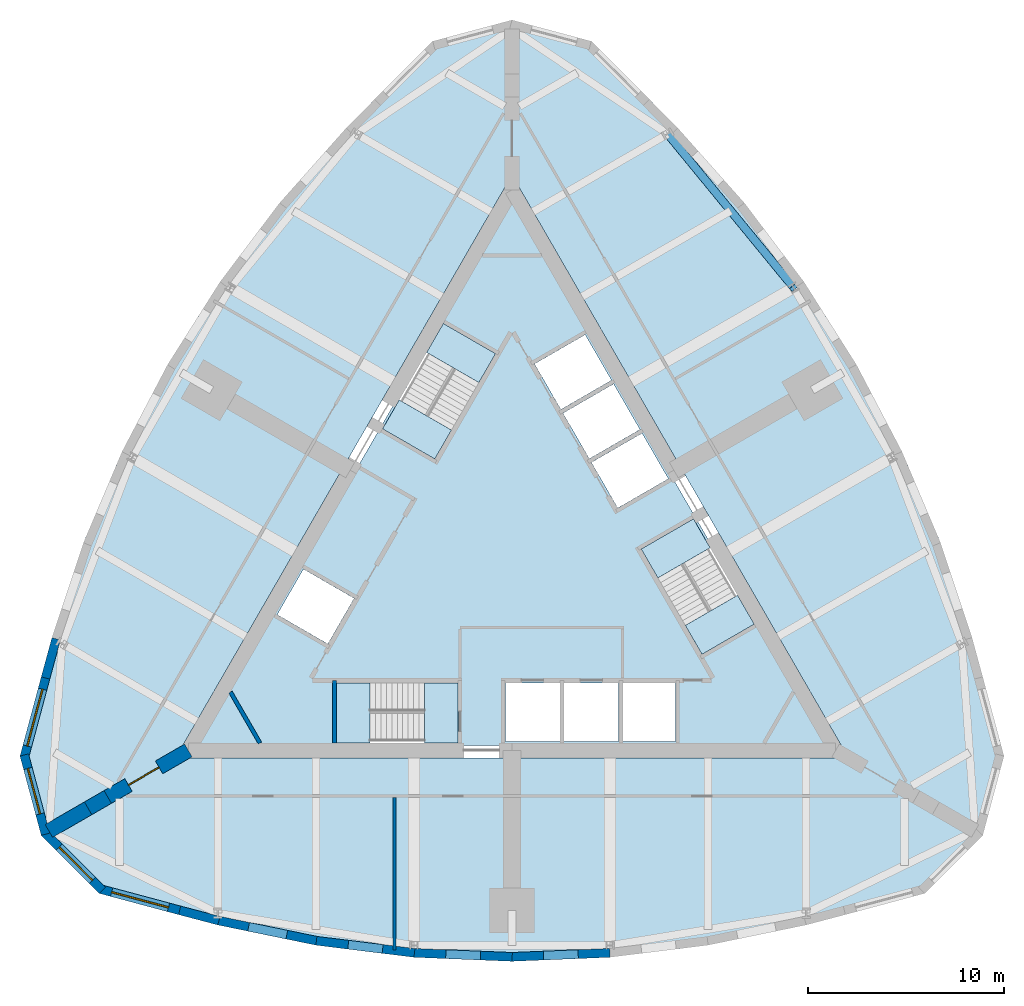
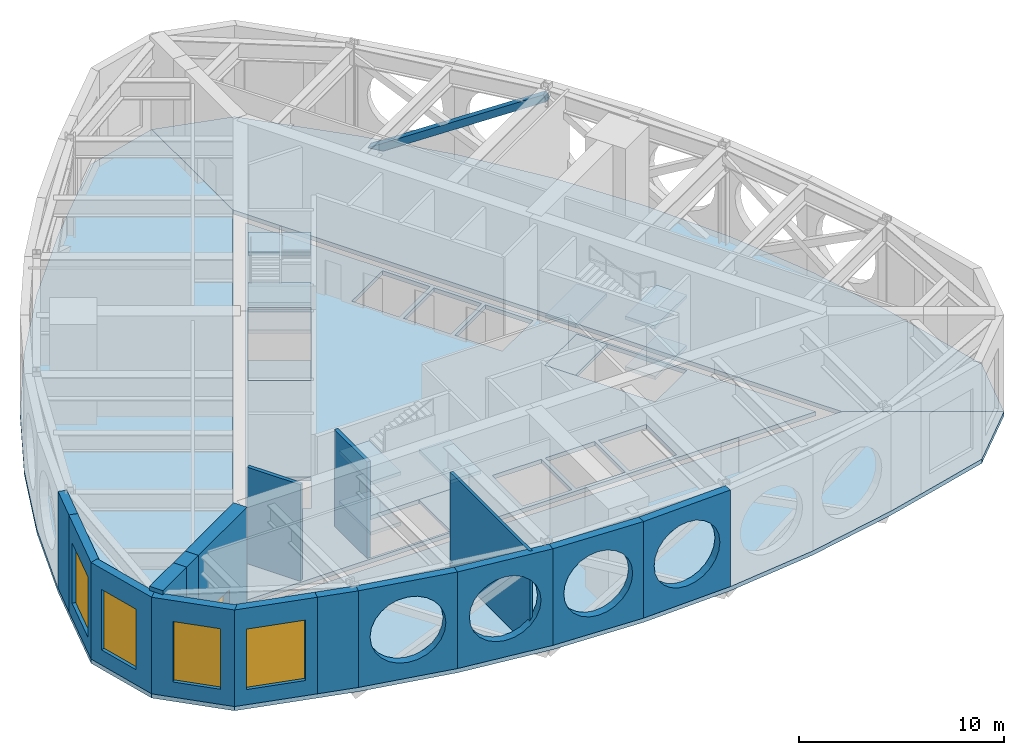
# One storey, part 2 of 7: 16 slabs, 16 walls, 4 windows, 1 door, 1 member, 5 openings, 3 elements without a shape of their own.
"""IFC4 building model written with IfcOpenShell, lengths in metres."""

from ifc_helpers import new_model, si_unit, direction, frame, frame_2d, origin, origin_2d, place, context, subcontext, project, spatial, polyline, rectangle, hollow_rectangle, outline, extrude, material, layer, layer_set, material_profile, profile_set, type_object, element, fill, aggregate, save


model = new_model("IFC4")

# Units and contexts
model_context = context("Model", 3, precision=1e-05, world=origin(), true_north=direction((0.0, 1.0)))
body_context = subcontext(model_context, "Body", "Model", "MODEL_VIEW")
ifc_project = project(units=[si_unit("LENGTHUNIT", "METRE"), si_unit("AREAUNIT", "SQUARE_METRE"), si_unit("VOLUMEUNIT", "CUBIC_METRE"), si_unit("PLANEANGLEUNIT", "RADIAN"), si_unit("MASSUNIT", "GRAM", prefix="KILO")], contexts=[model_context])

# Site, building, storey
site_placement = place(None, origin())
site = spatial("IfcSite", under=ifc_project, at=site_placement, CompositionType="ELEMENT")
building_placement = place(site_placement, origin())
building = spatial("IfcBuilding", under=site, at=building_placement, Name="Trikona Tower", CompositionType="ELEMENT")
storey_placement = place(building_placement, frame((0.0, 0.0, 233.300048828125)))
storey = spatial("IfcBuildingStorey", under=building, at=storey_placement, Name="L62", CompositionType="ELEMENT", Elevation=233.300048828125)

# Member
ifc_material_1 = material(Name="Steel ASTM A500 Grade C", Category="steel")
ifc_material_profile = material_profile(ifc_material_1, hollow_rectangle(XDim=0.406494140625, YDim=0.406494140625, WallThickness=0.0146484375, at=origin_2d()), Name="HSS16X16X5/8")
ifc_profile_set = profile_set([ifc_material_profile], Name="Steel ASTM A500 Grade C")
member_type = type_object("IfcMemberType", Name="Belt truss diagonal HSS16x16x5/8", PredefinedType="BRACE", material=ifc_profile_set)
member_placement = place(storey_placement, frame((7.936767578125, 21.90283203125, -0.770751953125), z_axis=(0.545652453615, -0.665383812961, 0.5094386924), x_axis=(0.77324629337, 0.634105803308, 0.0)))
element("IfcMember", 1, at=member_placement, inside=storey, type_object=member_type, Name="Belt truss diagonal L62 F2-4b", PredefinedType="BRACE", context=body_context, shape_type="SweptSolid", body=[
    extrude(hollow_rectangle(XDim=0.406494140625, YDim=0.406494140625, WallThickness=0.0146484375, at=origin_2d()), origin(), (0.0, 0.0, 1.0), 11.777587890625),
])

# Slabs
ifc_material_2 = material(Name="Concrete f'c 5000 psi lightweight on composite steel deck", Category="concrete")
ifc_layer_1 = layer(ifc_material_2, 0.25)
ifc_layer_set_1 = layer_set([ifc_layer_1], Name="Composite floor slab 250")
slab_type_1 = type_object("IfcSlabType", Name="Composite floor slab 250", PredefinedType="FLOOR", material=ifc_layer_set_1)
slab_1_placement = place(storey_placement, frame((0.0, 0.0, -0.25)))
element("IfcSlab", 2, at=slab_1_placement, inside=storey, type_object=slab_type_1, Name="Floor slab L62 core", PredefinedType="FLOOR", context=body_context, shape_type="SweptSolid", body=[
    extrude(outline(polyline([(-16.06689453125, -9.2763671875), (16.06689453125, -9.2763671875), (0.0, 18.552490234375), (-16.06689453125, -9.2763671875)]), holes=[polyline([(6.587158203125, 0.7431640625), (9.687255859375, -4.626220703125), (12.35009765625, -3.088623046875), (9.250244140625, 2.28076171875), (6.587158203125, 0.7431640625)]), polyline([(5.659912109375, -6.086181640625), (5.659912109375, -9.06640625), (8.340087890625, -9.06640625), (8.340087890625, -6.086181640625), (5.659912109375, -6.086181640625)]), polyline([(6.631591796875, 6.646240234375), (4.05078125, 5.15625), (5.390869140625, 2.835205078125), (7.9716796875, 4.3251953125), (6.631591796875, 6.646240234375)]), polyline([(6.521484375, 6.8369140625), (5.181640625, 9.15771484375), (2.600830078125, 7.667724609375), (3.94091796875, 5.3466796875), (6.521484375, 6.8369140625)]), polyline([(2.659912109375, -9.06640625), (5.43994140625, -9.06640625), (5.43994140625, -6.086181640625), (2.659912109375, -6.086181640625), (2.659912109375, -9.06640625)]), polyline([(2.490966796875, 7.858154296875), (5.071533203125, 9.34814453125), (3.731689453125, 11.669189453125), (1.15087890625, 10.17919921875), (2.490966796875, 7.858154296875)]), polyline([(2.43994140625, -9.06640625), (2.43994140625, -6.086181640625), (-0.340087890625, -6.086181640625), (-0.340087890625, -9.06640625), (2.43994140625, -9.06640625)]), polyline([(-3.937255859375, 5.3330078125), (-0.837158203125, 10.702392578125), (-3.500244140625, 12.239990234375), (-6.60009765625, 6.87060546875), (-3.937255859375, 5.3330078125)]), polyline([(-2.75, -6.076416015625), (-8.949951171875, -6.076416015625), (-8.949951171875, -9.1513671875), (-2.75, -9.1513671875), (-2.75, -6.076416015625)]), polyline([(-11.9716796875, -2.602783203125), (-9.390869140625, -4.093017578125), (-8.05078125, -1.77197265625), (-10.631591796875, -0.281982421875), (-11.9716796875, -2.602783203125)])]), origin(), (0.0, 0.0, 1.0), 0.25),
])
slab_2_placement = place(storey_placement, frame((0.0, 0.0, -0.25)))
element("IfcSlab", 3, at=slab_2_placement, inside=storey, type_object=slab_type_1, Name="Floor slab L62 south", PredefinedType="FLOOR", context=body_context, shape_type="SweptSolid", body=[
    extrude(outline(polyline([(21.04150390625, -16.81494140625), (24.0, -13.8564453125), (17.1494140625, -9.9013671875), (-17.1494140625, -9.9013671875), (-24.0, -13.8564453125), (-21.04150390625, -16.81494140625), (-17.0, -17.89794921875), (-15.0, -18.4248046875), (-10.0, -19.454345703125), (-5.0, -20.072021484375), (0.0, -20.27783203125), (5.0, -20.072021484375), (10.0, -19.454345703125), (15.0, -18.4248046875), (17.0, -17.89794921875), (21.04150390625, -16.81494140625)])), origin(), (0.0, 0.0, 1.0), 0.25),
])
slab_3_placement = place(storey_placement, frame((0.0, 0.0, -0.25)))
element("IfcSlab", 4, at=slab_3_placement, inside=storey, type_object=slab_type_1, Name="Floor slab L62 north-east", PredefinedType="FLOOR", context=body_context, shape_type="SweptSolid", body=[
    extrude(outline(polyline([(4.04150390625, 26.6298828125), (0.0, 27.712890625), (0.0, 19.802490234375), (17.1494140625, -9.9013671875), (24.0, -13.8564453125), (25.0830078125, -9.81494140625), (24.0, -5.7734375), (23.456298828125, -3.77783203125), (21.847900390625, 1.06689453125), (19.8828125, 5.705810546875), (17.56103515625, 10.138916015625), (14.8828125, 14.3662109375), (11.847900390625, 18.387451171875), (8.456298828125, 22.202880859375), (7.0, 23.67138671875), (4.04150390625, 26.6298828125)])), origin(), (0.0, 0.0, 1.0), 0.25),
])
slab_4_placement = place(storey_placement, frame((0.0, 0.0, -0.25)))
element("IfcSlab", 5, at=slab_4_placement, inside=storey, type_object=slab_type_1, Name="Floor slab L62 north-west", PredefinedType="FLOOR", context=body_context, shape_type="SweptSolid", body=[
    extrude(outline(polyline([(-7.0, 23.67138671875), (-8.456298828125, 22.202880859375), (-11.847900390625, 18.387451171875), (-14.8828125, 14.3662109375), (-17.56103515625, 10.138916015625), (-19.8828125, 5.705810546875), (-21.847900390625, 1.06689453125), (-23.456298828125, -3.77783203125), (-24.0, -5.7734375), (-25.0830078125, -9.81494140625), (-24.0, -13.8564453125), (-17.1494140625, -9.9013671875), (0.0, 19.802490234375), (0.0, 27.712890625), (-4.04150390625, 26.6298828125), (-7.0, 23.67138671875)])), origin(), (0.0, 0.0, 1.0), 0.25),
])

# Stair, slabs
ifc_material_3 = material(Name="Concrete f'c 5000 psi", Category="concrete")
stair_type = type_object("IfcStairType", Name="Core stair", PredefinedType="HALF_TURN_STAIR", material=ifc_material_3)
stair_1_placement = place(storey_placement, origin())
stair_1 = element("IfcStair", 6, at=stair_1_placement, inside=storey, type_object=stair_type, Name="Stair A L62", PredefinedType="HALF_TURN_STAIR")
ifc_material_4 = material(Name="Concrete f'c 5000 psi", Category="concrete")
ifc_layer_2 = layer(ifc_material_4, 0.199951171875)
ifc_layer_set_2 = layer_set([ifc_layer_2], Name="Stair landing 200")
slab_type_2 = type_object("IfcSlabType", Name="Stair landing 200", PredefinedType="LANDING", material=ifc_layer_set_2)
slab_5_placement = place(storey_placement, frame((0.0, 0.0, -0.199951171875)))
slab_5 = element("IfcSlab", 7, at=slab_5_placement, type_object=slab_type_2, Name="ST-A landing 1", PredefinedType="LANDING", context=body_context, shape_type="SweptSolid", body=[
    extrude(outline(polyline([(-4.452880859375, -6.076416015625), (-2.75, -6.076416015625), (-2.75, -9.1513671875), (-4.452880859375, -9.1513671875), (-4.452880859375, -6.076416015625)])), origin(), (0.0, 0.0, 1.0), 0.199951171875),
])
slab_6_placement = place(storey_placement, frame((0.0, 0.0, 1.300048828125)))
slab_6 = element("IfcSlab", 8, at=slab_6_placement, type_object=slab_type_2, Name="ST-A landing 2", PredefinedType="LANDING", context=body_context, shape_type="SweptSolid", body=[
    extrude(outline(polyline([(-8.949951171875, -6.076416015625), (-7.2470703125, -6.076416015625), (-7.2470703125, -9.1513671875), (-8.949951171875, -9.1513671875), (-8.949951171875, -6.076416015625)])), origin(), (0.0, 0.0, 1.0), 0.199951171875),
])
slab_7_placement = place(storey_placement, frame((0.0, 0.0, 2.800048828125)))
slab_7 = element("IfcSlab", 9, at=slab_7_placement, type_object=slab_type_2, Name="ST-A landing 3", PredefinedType="LANDING", context=body_context, shape_type="SweptSolid", body=[
    extrude(outline(polyline([(-4.452880859375, -6.076416015625), (-2.75, -6.076416015625), (-2.75, -9.1513671875), (-4.452880859375, -9.1513671875), (-4.452880859375, -6.076416015625)])), origin(), (0.0, 0.0, 1.0), 0.199951171875),
])
slab_8_placement = place(storey_placement, frame((0.0, 0.0, 4.300048828125)))
slab_8 = element("IfcSlab", 10, at=slab_8_placement, type_object=slab_type_2, Name="ST-A landing 4", PredefinedType="LANDING", context=body_context, shape_type="SweptSolid", body=[
    extrude(outline(polyline([(-8.949951171875, -6.076416015625), (-7.2470703125, -6.076416015625), (-7.2470703125, -9.1513671875), (-8.949951171875, -9.1513671875), (-8.949951171875, -6.076416015625)])), origin(), (0.0, 0.0, 1.0), 0.199951171875),
])
aggregate(stair_1, [slab_5, slab_6, slab_7, slab_8])

stair_2_placement = place(storey_placement, origin())
stair_2 = element("IfcStair", 11, at=stair_2_placement, inside=storey, type_object=stair_type, Name="Stair B L62", PredefinedType="HALF_TURN_STAIR")
slab_9_placement = place(storey_placement, frame((0.0, 0.0, -0.199951171875)))
slab_9 = element("IfcSlab", 12, at=slab_9_placement, type_object=slab_type_2, Name="ST-B landing 1", PredefinedType="LANDING", context=body_context, shape_type="SweptSolid", body=[
    extrude(outline(polyline([(7.438720703125, -0.731689453125), (6.587158203125, 0.7431640625), (9.250244140625, 2.28076171875), (10.101806640625, 0.805908203125), (7.438720703125, -0.731689453125)])), origin(), (0.0, 0.0, 1.0), 0.199951171875),
])
slab_10_placement = place(storey_placement, frame((0.0, 0.0, 1.300048828125)))
slab_10 = element("IfcSlab", 13, at=slab_10_placement, type_object=slab_type_2, Name="ST-B landing 2", PredefinedType="LANDING", context=body_context, shape_type="SweptSolid", body=[
    extrude(outline(polyline([(9.687255859375, -4.626220703125), (8.835693359375, -3.1513671875), (11.498779296875, -1.61376953125), (12.35009765625, -3.088623046875), (9.687255859375, -4.626220703125)])), origin(), (0.0, 0.0, 1.0), 0.199951171875),
])
slab_11_placement = place(storey_placement, frame((0.0, 0.0, 2.800048828125)))
slab_11 = element("IfcSlab", 14, at=slab_11_placement, type_object=slab_type_2, Name="ST-B landing 3", PredefinedType="LANDING", context=body_context, shape_type="SweptSolid", body=[
    extrude(outline(polyline([(7.438720703125, -0.731689453125), (6.587158203125, 0.7431640625), (9.250244140625, 2.28076171875), (10.101806640625, 0.805908203125), (7.438720703125, -0.731689453125)])), origin(), (0.0, 0.0, 1.0), 0.199951171875),
])
slab_12_placement = place(storey_placement, frame((0.0, 0.0, 4.300048828125)))
slab_12 = element("IfcSlab", 15, at=slab_12_placement, type_object=slab_type_2, Name="ST-B landing 4", PredefinedType="LANDING", context=body_context, shape_type="SweptSolid", body=[
    extrude(outline(polyline([(9.687255859375, -4.626220703125), (8.835693359375, -3.1513671875), (11.498779296875, -1.61376953125), (12.35009765625, -3.088623046875), (9.687255859375, -4.626220703125)])), origin(), (0.0, 0.0, 1.0), 0.199951171875),
])
aggregate(stair_2, [slab_9, slab_10, slab_11, slab_12])

stair_3_placement = place(storey_placement, origin())
stair_3 = element("IfcStair", 16, at=stair_3_placement, inside=storey, type_object=stair_type, Name="Stair C L62", PredefinedType="HALF_TURN_STAIR")
slab_13_placement = place(storey_placement, frame((0.0, 0.0, -0.199951171875)))
slab_13 = element("IfcSlab", 17, at=slab_13_placement, type_object=slab_type_2, Name="ST-C landing 1", PredefinedType="LANDING", context=body_context, shape_type="SweptSolid", body=[
    extrude(outline(polyline([(-3.085693359375, 6.807861328125), (-3.937255859375, 5.3330078125), (-6.60009765625, 6.87060546875), (-5.748779296875, 8.345458984375), (-3.085693359375, 6.807861328125)])), origin(), (0.0, 0.0, 1.0), 0.199951171875),
])
slab_14_placement = place(storey_placement, frame((0.0, 0.0, 1.300048828125)))
slab_14 = element("IfcSlab", 18, at=slab_14_placement, type_object=slab_type_2, Name="ST-C landing 2", PredefinedType="LANDING", context=body_context, shape_type="SweptSolid", body=[
    extrude(outline(polyline([(-0.837158203125, 10.702392578125), (-1.688720703125, 9.2275390625), (-4.351806640625, 10.76513671875), (-3.500244140625, 12.239990234375), (-0.837158203125, 10.702392578125)])), origin(), (0.0, 0.0, 1.0), 0.199951171875),
])
slab_15_placement = place(storey_placement, frame((0.0, 0.0, 2.800048828125)))
slab_15 = element("IfcSlab", 19, at=slab_15_placement, type_object=slab_type_2, Name="ST-C landing 3", PredefinedType="LANDING", context=body_context, shape_type="SweptSolid", body=[
    extrude(outline(polyline([(-3.085693359375, 6.807861328125), (-3.937255859375, 5.3330078125), (-6.60009765625, 6.87060546875), (-5.748779296875, 8.345458984375), (-3.085693359375, 6.807861328125)])), origin(), (0.0, 0.0, 1.0), 0.199951171875),
])
slab_16_placement = place(storey_placement, frame((0.0, 0.0, 4.300048828125)))
slab_16 = element("IfcSlab", 20, at=slab_16_placement, type_object=slab_type_2, Name="ST-C landing 4", PredefinedType="LANDING", context=body_context, shape_type="SweptSolid", body=[
    extrude(outline(polyline([(-0.837158203125, 10.702392578125), (-1.688720703125, 9.2275390625), (-4.351806640625, 10.76513671875), (-3.500244140625, 12.239990234375), (-0.837158203125, 10.702392578125)])), origin(), (0.0, 0.0, 1.0), 0.199951171875),
])
aggregate(stair_3, [slab_13, slab_14, slab_15, slab_16])

# Wall, opening, window
ifc_material_5 = material(Name="Brick-faced precast concrete", Category="masonry")
ifc_layer_3 = layer(ifc_material_5, 0.449951171875)
ifc_layer_set_3 = layer_set([ifc_layer_3], Name="Brick-faced corner wall 450")
wall_type_1 = type_object("IfcWallType", Name="Brick-faced corner wall 450", PredefinedType="SOLIDWALL", material=ifc_layer_set_3)
wall_1_placement = place(storey_placement, frame((-23.78271484375, -5.831787109375, 0.0), z_axis=(0.0, 0.0, 1.0), x_axis=(-0.258784695888, -0.965935029479, 0.0)))
wall_1 = element("IfcWall", 21, at=wall_1_placement, inside=storey, type_object=wall_type_1, Name="External wall L62-32", PredefinedType="SOLIDWALL", context=body_context, shape_type="SweptSolid", body=[
    extrude(rectangle(XDim=4.18408203125, YDim=0.449951171875, at=frame_2d((2.092041015625, 0.0))), origin(), (0.0, 0.0, 1.0), 5.75),
])
opening_1_placement = place(wall_1_placement, frame((0.592041015625, 0.0, 0.89990234375)))
opening_1 = element("IfcOpeningElement", 22, at=opening_1_placement, cuts=wall_1, Name="Opening W3036", PredefinedType="OPENING", context=body_context, shape_type="SweptSolid", body=[
    extrude(rectangle(XDim=3.0, YDim=3.60009765625, at=frame_2d((1.5, 1.800048828125))), frame((0.0, 0.23486328125, 0.0), z_axis=(0.0, -1.0, 0.0), x_axis=(1.0, 0.0, 0.0)), (0.0, 0.0, 1.0), 0.469970703125),
])
ifc_material_6 = material(Name="Aluminium-framed double glazing", Category="aluminium")
window_type_1 = type_object("IfcWindowType", Name="Window 3000x3600", PartitioningType="SINGLE_PANEL", PredefinedType="WINDOW", material=ifc_material_6)
window_1_placement = place(opening_1_placement, origin())
window_1 = element("IfcWindow", 23, at=window_1_placement, inside=storey, type_object=window_type_1, Name="Window L62-PLS", OverallHeight=3.60009765625, OverallWidth=3.0, PartitioningType="SINGLE_PANEL", PredefinedType="WINDOW", context=body_context, shape_type="SweptSolid", body=[
    extrude(rectangle(XDim=3.0, YDim=3.60009765625, at=frame_2d((1.5, 1.800048828125))), frame((0.0, 0.030029296875, 0.0), z_axis=(0.0, -1.0, 0.0), x_axis=(1.0, 0.0, 0.0)), (0.0, 0.0, 1.0), 0.06005859375),
])
fill(opening_1, window_1)

wall_2_placement = place(storey_placement, frame((-24.865478515625, -9.7568359375, 0.0), z_axis=(0.0, 0.0, 1.0), x_axis=(0.258799282522, -0.96593112144, 0.0)))
wall_2 = element("IfcWall", 24, at=wall_2_placement, inside=storey, type_object=wall_type_1, Name="External wall L62-33", PredefinedType="SOLIDWALL", context=body_context, shape_type="SweptSolid", body=[
    extrude(outline(polyline([(4.183837890625, 0.22509765625), (4.12451171875, 0.22509765625), (3.705078125, 0.112548828125), (3.675048828125, 0.22509765625), (0.0, 0.22509765625), (0.0, -0.22509765625), (4.183837890625, -0.22509765625), (4.183837890625, 0.22509765625)])), origin(), (0.0, 0.0, 1.0), 5.75),
])
opening_2_placement = place(wall_2_placement, frame((0.712646484375, 0.0, 0.89990234375)))
opening_2 = element("IfcOpeningElement", 25, at=opening_2_placement, cuts=wall_2, Name="Opening W2436", PredefinedType="OPENING", context=body_context, shape_type="SweptSolid", body=[
    extrude(rectangle(XDim=2.39990234375, YDim=3.60009765625, at=frame_2d((1.199951171875, 1.800048828125))), frame((0.0, 0.23486328125, 0.0), z_axis=(0.0, -1.0, 0.0), x_axis=(1.0, 0.0, 0.0)), (0.0, 0.0, 1.0), 0.469970703125),
])
ifc_material_7 = material(Name="Aluminium-framed double glazing", Category="aluminium")
window_type_2 = type_object("IfcWindowType", Name="Window 2400x3600", PartitioningType="SINGLE_PANEL", PredefinedType="WINDOW", material=ifc_material_7)
window_2_placement = place(opening_2_placement, origin())
window_2 = element("IfcWindow", 26, at=window_2_placement, inside=storey, type_object=window_type_2, Name="Window L62-PLS", OverallHeight=3.60009765625, OverallWidth=2.39990234375, PartitioningType="SINGLE_PANEL", PredefinedType="WINDOW", context=body_context, shape_type="SweptSolid", body=[
    extrude(rectangle(XDim=2.39990234375, YDim=3.60009765625, at=frame_2d((1.199951171875, 1.800048828125))), frame((0.0, 0.030029296875, 0.0), z_axis=(0.0, -1.0, 0.0), x_axis=(1.0, 0.0, 0.0)), (0.0, 0.0, 1.0), 0.06005859375),
])
fill(opening_2, window_2)

wall_3_placement = place(storey_placement, frame((-23.8408203125, -13.697265625, 0.0), z_axis=(0.0, 0.0, 1.0), x_axis=(0.707077605902, -0.707135955267, 0.0)))
wall_3 = element("IfcWall", 27, at=wall_3_placement, inside=storey, type_object=wall_type_1, Name="External wall L62-34", PredefinedType="SOLIDWALL", context=body_context, shape_type="SweptSolid", body=[
    extrude(outline(polyline([(4.18408203125, 0.22509765625), (0.5087890625, 0.22509765625), (0.478759765625, 0.112548828125), (0.05908203125, 0.22509765625), (0.0, 0.22509765625), (0.0, -0.22509765625), (4.18408203125, -0.22509765625), (4.18408203125, 0.22509765625)])), origin(), (0.0, 0.0, 1.0), 5.75),
])
opening_3_placement = place(wall_3_placement, frame((1.0712890625, 0.0, 0.89990234375)))
opening_3 = element("IfcOpeningElement", 28, at=opening_3_placement, cuts=wall_3, Name="Opening W2436", PredefinedType="OPENING", context=body_context, shape_type="SweptSolid", body=[
    extrude(rectangle(XDim=2.39990234375, YDim=3.60009765625, at=frame_2d((1.199951171875, 1.800048828125))), frame((0.0, 0.23486328125, 0.0), z_axis=(0.0, -1.0, 0.0), x_axis=(1.0, 0.0, 0.0)), (0.0, 0.0, 1.0), 0.469970703125),
])
window_3_placement = place(opening_3_placement, origin())
window_3 = element("IfcWindow", 29, at=window_3_placement, inside=storey, type_object=window_type_2, Name="Window L62-AHU", OverallHeight=3.60009765625, OverallWidth=2.39990234375, PartitioningType="SINGLE_PANEL", PredefinedType="WINDOW", context=body_context, shape_type="SweptSolid", body=[
    extrude(rectangle(XDim=2.39990234375, YDim=3.60009765625, at=frame_2d((1.199951171875, 1.800048828125))), frame((0.0, 0.030029296875, 0.0), z_axis=(0.0, -1.0, 0.0), x_axis=(1.0, 0.0, 0.0)), (0.0, 0.0, 1.0), 0.06005859375),
])
fill(opening_3, window_3)

wall_4_placement = place(storey_placement, frame((-20.9833984375, -16.59765625, 0.0), z_axis=(0.0, 0.0, 1.0), x_axis=(0.965920442324, -0.258839137498, 0.0)))
wall_4 = element("IfcWall", 30, at=wall_4_placement, inside=storey, type_object=wall_type_1, Name="External wall L62-35", PredefinedType="SOLIDWALL", context=body_context, shape_type="SweptSolid", body=[
    extrude(rectangle(XDim=4.18408203125, YDim=0.449951171875, at=frame_2d((2.092041015625, 0.0))), origin(), (0.0, 0.0, 1.0), 5.75),
])
opening_4_placement = place(wall_4_placement, frame((0.592041015625, 0.0, 0.89990234375)))
opening_4 = element("IfcOpeningElement", 31, at=opening_4_placement, cuts=wall_4, Name="Opening W3036", PredefinedType="OPENING", context=body_context, shape_type="SweptSolid", body=[
    extrude(rectangle(XDim=3.0, YDim=3.60009765625, at=frame_2d((1.5, 1.800048828125))), frame((0.0, 0.23486328125, 0.0), z_axis=(0.0, -1.0, 0.0), x_axis=(1.0, 0.0, 0.0)), (0.0, 0.0, 1.0), 0.469970703125),
])
window_4_placement = place(opening_4_placement, origin())
window_4 = element("IfcWindow", 32, at=window_4_placement, inside=storey, type_object=window_type_1, Name="Window L62-AHU", OverallHeight=3.60009765625, OverallWidth=3.0, PartitioningType="SINGLE_PANEL", PredefinedType="WINDOW", context=body_context, shape_type="SweptSolid", body=[
    extrude(rectangle(XDim=3.0, YDim=3.60009765625, at=frame_2d((1.5, 1.800048828125))), frame((0.0, 0.030029296875, 0.0), z_axis=(0.0, -1.0, 0.0), x_axis=(1.0, 0.0, 0.0)), (0.0, 0.0, 1.0), 0.06005859375),
])
fill(opening_4, window_4)

# Walls
ifc_material_8 = material(Name="Brick-faced precast concrete with louvred openings", Category="masonry")
ifc_layer_4 = layer(ifc_material_8, 0.449951171875)
ifc_layer_set_4 = layer_set([ifc_layer_4], Name="Brick-faced plant wall 450")
wall_type_2 = type_object("IfcWallType", Name="Brick-faced plant wall 450", PredefinedType="SOLIDWALL", material=ifc_layer_set_4)
wall_5_placement = place(storey_placement, frame((-16.942626953125, -17.680419921875, 0.0), z_axis=(0.0, 0.0, 1.0), x_axis=(0.967010286052, -0.254737328772, 0.0)))
element("IfcWall", 33, at=wall_5_placement, inside=storey, type_object=wall_type_2, Name="External wall L62-00", PredefinedType="SOLIDWALL", context=body_context, shape_type="SweptSolid", body=[
    extrude(rectangle(XDim=2.068115234375, YDim=0.449951171875, at=frame_2d((1.0341796875, 0.0))), origin(), (0.0, 0.0, 1.0), 5.75),
])
wall_6_placement = place(storey_placement, frame((-14.95458984375, -18.20458984375, 0.0), z_axis=(0.0, 0.0, 1.0), x_axis=(0.979461488189, -0.201631329795, 0.0)))
element("IfcWall", 34, at=wall_6_placement, inside=storey, type_object=wall_type_2, Name="External wall L62-01", PredefinedType="SOLIDWALL", context=body_context, shape_type="SweptSolid", body=[
    extrude(outline(polyline([(0.0, 0.0), (5.104736328125, 0.0), (5.104736328125, 5.75), (0.0, 5.75), (0.0, 0.0)]), holes=[polyline([(4.50244140625, 2.875), (4.43603515625, 3.379638671875), (4.2412109375, 3.849853515625), (3.931396484375, 4.25390625), (3.52734375, 4.563720703125), (3.05712890625, 4.758544921875), (2.552490234375, 4.824951171875), (2.047607421875, 4.758544921875), (1.577392578125, 4.563720703125), (1.173583984375, 4.25390625), (0.86376953125, 3.849853515625), (0.6689453125, 3.379638671875), (0.602294921875, 2.875), (0.6689453125, 2.370361328125), (0.86376953125, 1.89990234375), (1.173583984375, 1.49609375), (1.577392578125, 1.186279296875), (2.047607421875, 0.991455078125), (2.552490234375, 0.925048828125), (3.05712890625, 0.991455078125), (3.52734375, 1.186279296875), (3.931396484375, 1.49609375), (4.2412109375, 1.89990234375), (4.43603515625, 2.370361328125), (4.50244140625, 2.875)])]), frame((0.0, 0.22509765625, 0.0), z_axis=(0.0, -1.0, 0.0), x_axis=(1.0, 0.0, 0.0)), (0.0, 0.0, 1.0), 0.449951171875),
])
wall_7_placement = place(storey_placement, frame((-9.972412109375, -19.23095703125, 0.0), z_axis=(0.0, 0.0, 1.0), x_axis=(0.992455772574, -0.122603178936, 0.0)))
element("IfcWall", 35, at=wall_7_placement, inside=storey, type_object=wall_type_2, Name="External wall L62-02", PredefinedType="SOLIDWALL", context=body_context, shape_type="SweptSolid", body=[
    extrude(outline(polyline([(0.0, 0.0), (5.0380859375, 0.0), (5.0380859375, 5.75), (0.0, 5.75), (0.0, 0.0)]), holes=[polyline([(4.4189453125, 2.875), (4.354248046875, 3.36669921875), (4.16455078125, 3.824951171875), (3.862548828125, 4.218505859375), (3.468994140625, 4.520263671875), (3.0107421875, 4.710205078125), (2.51904296875, 4.77490234375), (2.027099609375, 4.710205078125), (1.569091796875, 4.520263671875), (1.175537109375, 4.218505859375), (0.87353515625, 3.824951171875), (0.68359375, 3.36669921875), (0.618896484375, 2.875), (0.68359375, 2.383056640625), (0.87353515625, 1.925048828125), (1.175537109375, 1.531494140625), (1.569091796875, 1.2294921875), (2.027099609375, 1.03955078125), (2.51904296875, 0.974853515625), (3.0107421875, 1.03955078125), (3.468994140625, 1.2294921875), (3.862548828125, 1.531494140625), (4.16455078125, 1.925048828125), (4.354248046875, 2.383056640625), (4.4189453125, 2.875)])]), frame((0.0, 0.22509765625, 0.0), z_axis=(0.0, -1.0, 0.0), x_axis=(1.0, 0.0, 0.0)), (0.0, 0.0, 1.0), 0.449951171875),
])
for number, where, z_axis, x_axis, name in (
    (36, (-4.99072265625, -19.84716796875, 0.0), (0.0, 0.0, 1.0), (0.999153915377, -0.041127282747, 0.0), "External wall L62-03"),
    (37, (-0.00927734375, -20.052978515625, 0.0), (0.0, 0.0, 1.0), (0.999153915377, 0.041127282747, 0.0), "External wall L62-04"),
):
    element("IfcWall", number, at=place(storey_placement, frame(where, z_axis=z_axis, x_axis=x_axis)), inside=storey, type_object=wall_type_2, Name=name, PredefinedType="SOLIDWALL", context=body_context, shape_type="SweptSolid", body=[
        extrude(outline(polyline([(0.0, 0.0), (5.004150390625, 0.0), (5.004150390625, 5.75), (0.0, 5.75), (0.0, 0.0)]), holes=[polyline([(4.402099609375, 2.875), (4.33740234375, 3.36669921875), (4.147705078125, 3.824951171875), (3.845703125, 4.218505859375), (3.4521484375, 4.520263671875), (2.993896484375, 4.710205078125), (2.502197265625, 4.77490234375), (2.010498046875, 4.710205078125), (1.552001953125, 4.520263671875), (1.15869140625, 4.218505859375), (0.856689453125, 3.824951171875), (0.6669921875, 3.36669921875), (0.60205078125, 2.875), (0.6669921875, 2.383056640625), (0.856689453125, 1.925048828125), (1.15869140625, 1.531494140625), (1.552001953125, 1.2294921875), (2.010498046875, 1.03955078125), (2.502197265625, 0.974853515625), (2.993896484375, 1.03955078125), (3.4521484375, 1.2294921875), (3.845703125, 1.531494140625), (4.147705078125, 1.925048828125), (4.33740234375, 2.383056640625), (4.402099609375, 2.875)])]), frame((0.0, 0.22509765625, 0.0), z_axis=(0.0, -1.0, 0.0), x_axis=(1.0, 0.0, 0.0)), (0.0, 0.0, 1.0), 0.449951171875),
    ])
wall_8_placement = place(storey_placement, frame((-23.2392578125, -3.8369140625, 0.0), z_axis=(0.0, 0.0, 1.0), x_axis=(-0.262867703986, -0.964831887015, 0.0)))
element("IfcWall", 38, at=wall_8_placement, inside=storey, type_object=wall_type_2, Name="External wall L62-31", PredefinedType="SOLIDWALL", context=body_context, shape_type="SweptSolid", body=[
    extrude(rectangle(XDim=2.068359375, YDim=0.449951171875, at=frame_2d((1.0341796875, 0.0))), origin(), (0.0, 0.0, 1.0), 5.75),
])

# Wall, opening, door
ifc_material_9 = material(Name="Concrete f'c 10000 psi", Category="concrete")
ifc_layer_5 = layer(ifc_material_9, 0.75)
ifc_layer_set_5 = layer_set([ifc_layer_5], Name="Buttress wall 750")
wall_type_3 = type_object("IfcWallType", Name="Buttress wall 750", PredefinedType="SHEAR", material=ifc_layer_set_5)
wall_9_placement = place(storey_placement, frame((-16.5, -9.5263671875, 0.0), z_axis=(0.0, 0.0, 1.0), x_axis=(-0.866031398331, -0.499989616998, 0.0)))
wall_9 = element("IfcWall", 39, at=wall_9_placement, inside=storey, type_object=wall_type_3, Name="Buttress wall 3", PredefinedType="SHEAR", context=body_context, shape_type="SweptSolid", body=[
    extrude(rectangle(XDim=4.74609375, YDim=0.75, at=frame_2d((2.373046875, 0.0))), origin(), (0.0, 0.0, 1.0), 6.0),
])
opening_5_placement = place(wall_9_placement, frame((1.72509765625, 0.0, 0.0)))
opening_5 = element("IfcOpeningElement", 40, at=opening_5_placement, cuts=wall_9, Name="Opening D10", PredefinedType="OPENING", context=body_context, shape_type="SweptSolid", body=[
    extrude(rectangle(XDim=1.800048828125, YDim=2.1298828125, at=frame_2d((0.89990234375, 1.06494140625))), frame((0.0, 0.385009765625, 0.0), z_axis=(0.0, -1.0, 0.0), x_axis=(1.0, 0.0, 0.0)), (0.0, 0.0, 1.0), 0.77001953125),
])
ifc_material_10 = material(Name="Hollow metal door and frame", Category="steel")
door_type = type_object("IfcDoorType", Name="Cross-corridor door pair 1800x2130", OperationType="DOUBLE_DOOR_DOUBLE_SWING", PredefinedType="DOOR", material=ifc_material_10)
door_placement = place(opening_5_placement, origin())
door = element("IfcDoor", 41, at=door_placement, inside=storey, type_object=door_type, Name="Cross-corridor door 3", OperationType="DOUBLE_DOOR_DOUBLE_SWING", OverallHeight=2.1298828125, OverallWidth=1.800048828125, PredefinedType="DOOR", context=body_context, shape_type="SweptSolid", body=[
    extrude(rectangle(XDim=1.800048828125, YDim=2.1298828125, at=frame_2d((0.89990234375, 1.06494140625))), frame((0.0, 0.02490234375, 0.0), z_axis=(0.0, -1.0, 0.0), x_axis=(1.0, 0.0, 0.0)), (0.0, 0.0, 1.0), 0.050048828125),
])
fill(opening_5, door)

# Walls
wall_10_placement = place(storey_placement, frame((-20.6103515625, -11.8994140625, 0.0), z_axis=(0.0, 0.0, 1.0), x_axis=(-0.866009537788, -0.500027479704, 0.0)))
element("IfcWall", 42, at=wall_10_placement, inside=storey, type_object=wall_type_3, Name="Buttress wall 3 part 2", PredefinedType="SHEAR", context=body_context, shape_type="SweptSolid", body=[
    extrude(rectangle(XDim=1.15478515625, YDim=0.75, at=frame_2d((0.577392578125, 0.0))), origin(), (0.0, 0.0, 1.0), 6.0),
])
wall_11_placement = place(storey_placement, frame((-21.6103515625, -12.476806640625, 0.0), z_axis=(0.0, 0.0, 1.0), x_axis=(-0.866055313784, -0.499948190782, 0.0)))
element("IfcWall", 43, at=wall_11_placement, inside=storey, type_object=wall_type_3, Name="Buttress wall 3 part 3", PredefinedType="SHEAR", context=body_context, shape_type="SweptSolid", body=[
    extrude(rectangle(XDim=2.309326171875, YDim=0.75, at=frame_2d((1.15478515625, 0.0))), origin(), (0.0, 0.0, 1.0), 6.0),
])
ifc_material_11 = material(Name="Metal stud and gypsum board, 1-hour acoustic", Category="gypsum")
ifc_layer_6 = layer(ifc_material_11, 0.14990234375)
ifc_layer_set_6 = layer_set([ifc_layer_6], Name="Party wall 150")
wall_type_4 = type_object("IfcWallType", Name="Party wall 150", PredefinedType="PARTITIONING", material=ifc_layer_set_6)
wall_12_placement = place(storey_placement, frame((-6.0, -11.92626953125, 0.0), z_axis=(0.0, 0.0, 1.0), x_axis=(0.0, -1.0, 0.0)))
element("IfcWall", 44, at=wall_12_placement, inside=storey, type_object=wall_type_4, Name="Partition L62 F1 u-6", PredefinedType="PARTITIONING", context=body_context, shape_type="SweptSolid", body=[
    extrude(rectangle(XDim=7.770263671875, YDim=0.14990234375, at=frame_2d((3.88525390625, 0.0))), origin(), (0.0, 0.0, 1.0), 5.75),
])
ifc_material_12 = material(Name="Concrete f'c 8000 psi", Category="concrete")
ifc_layer_7 = layer(ifc_material_12, 0.199951171875)
ifc_layer_set_7 = layer_set([ifc_layer_7], Name="Shaft wall 200")
wall_type_5 = type_object("IfcWallType", Name="Shaft wall 200", PredefinedType="SOLIDWALL", material=ifc_layer_set_7)
wall_13_placement = place(storey_placement, frame((-12.848388671875, -9.1513671875, 0.0), z_axis=(0.0, 0.0, 1.0), x_axis=(-0.499952404951, 0.866052881055, 0.0)))
element("IfcWall", 45, at=wall_13_placement, inside=storey, type_object=wall_type_5, Name="Riser wall L62-RS3", PredefinedType="SOLIDWALL", context=body_context, shape_type="SweptSolid", body=[
    extrude(rectangle(XDim=3.002197265625, YDim=0.199951171875, at=frame_2d((1.5009765625, 0.0))), origin(), (0.0, 0.0, 1.0), 5.75),
])
ifc_material_13 = material(Name="Concrete f'c 8000 psi", Category="concrete")
ifc_layer_8 = layer(ifc_material_13, 0.199951171875)
ifc_layer_set_8 = layer_set([ifc_layer_8], Name="Shaft wall 200 load-bearing")
wall_type_6 = type_object("IfcWallType", Name="Shaft wall 200 load-bearing", PredefinedType="SOLIDWALL", material=ifc_layer_set_8)
wall_14_placement = place(storey_placement, frame((-9.050048828125, -5.951416015625, 0.0), z_axis=(0.0, 0.0, 1.0), x_axis=(0.0, -1.0, 0.0)))
element("IfcWall", 46, at=wall_14_placement, inside=storey, type_object=wall_type_6, Name="Shaft wall A1", PredefinedType="SOLIDWALL", context=body_context, shape_type="SweptSolid", body=[
    extrude(rectangle(XDim=3.199951171875, YDim=0.199951171875, at=frame_2d((1.60009765625, 0.0))), origin(), (0.0, 0.0, 1.0), 5.75),
])

save(model, "model.ifc")
